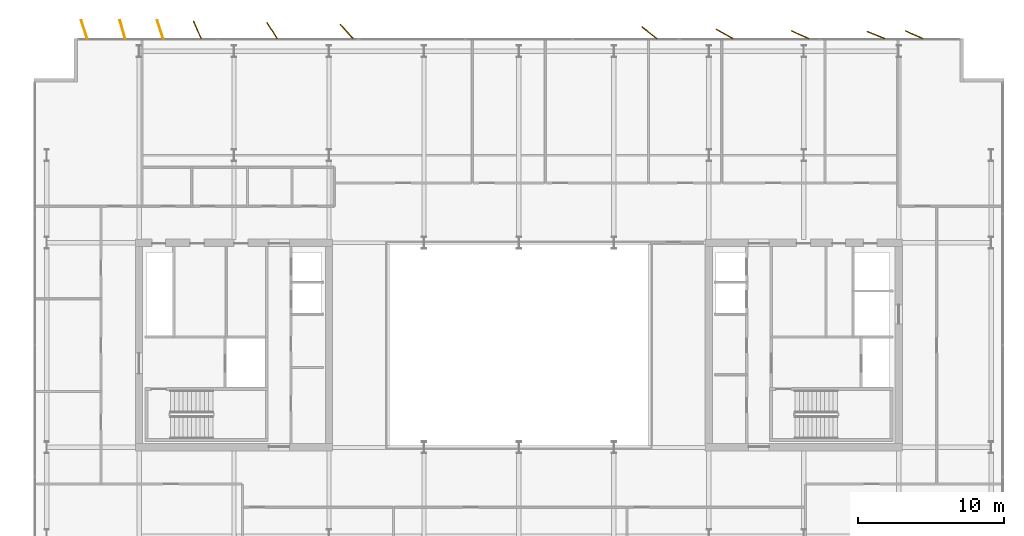
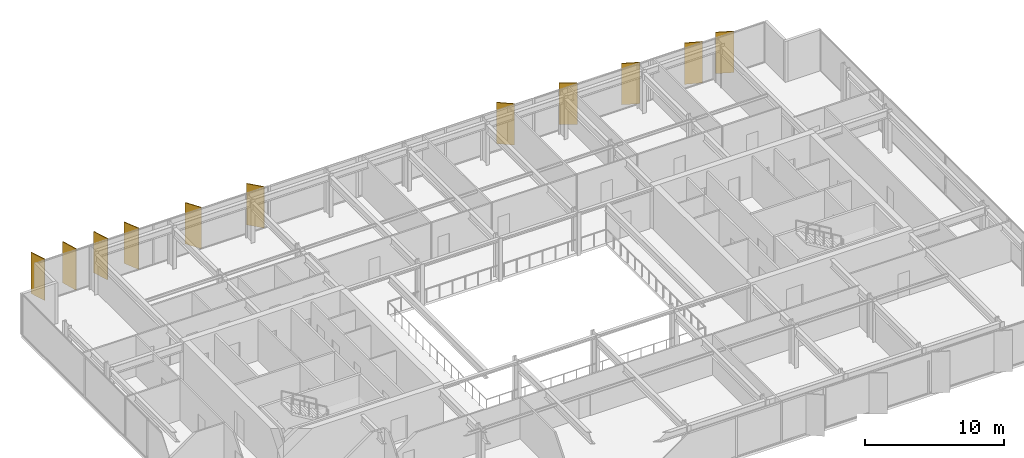
# One storey, part 23 of 23: 11 shading devices.
"""IFC4 building model written with IfcOpenShell, lengths in metres."""

from ifc_helpers import new_model, si_unit, direction, frame, origin, origin_2d, place, context, subcontext, project, spatial, rectangle, extrude, material, layer, layer_set, type_object, element, save


model = new_model("IFC4")

# Units and contexts
model_context = context("Model", 3, precision=1e-05, world=origin(), true_north=direction((0.0, 1.0)))
body_context = subcontext(model_context, "Body", "Model", "MODEL_VIEW")
ifc_project = project(units=[si_unit("LENGTHUNIT", "METRE"), si_unit("AREAUNIT", "SQUARE_METRE"), si_unit("VOLUMEUNIT", "CUBIC_METRE"), si_unit("PLANEANGLEUNIT", "RADIAN"), si_unit("MASSUNIT", "GRAM", prefix="KILO")], contexts=[model_context])

# Site, building, storey
site_placement = place(None, origin())
site = spatial("IfcSite", under=ifc_project, at=site_placement, CompositionType="ELEMENT")
building_placement = place(site_placement, origin())
building = spatial("IfcBuilding", under=site, at=building_placement, Name="Putna Gate Headquarters", CompositionType="ELEMENT")
storey_placement = place(building_placement, frame((0.0, 0.0, 229.0)))
storey = spatial("IfcBuildingStorey", under=building, at=storey_placement, Name="L57", CompositionType="ELEMENT", Elevation=229.0)

# Shading devices
ifc_material = material(Name="Anodised architectural bronze aluminium fin", Category="aluminium")
ifc_layer = layer(ifc_material, 0.06494140625)
ifc_layer_set = layer_set([ifc_layer], Name="Anodised architectural bronze aluminium fin")
shading_device_type = type_object("IfcShadingDeviceType", Name="SHADE-BRONZE-FIN-1320", PredefinedType="USERDEFINED", material=ifc_layer_set)
for number, where, z_axis, x_axis, name in (
    (1, (9.246337890625, 47.602783203125, -0.02001953125), (0.0, 0.0, 1.0), (-0.308684994204, 0.951164325631, 0.0), "L57 Bronze Vertical Shading Fin N1"),
    (2, (11.8681640625, 47.609375, -0.02001953125), (0.0, 0.0, 1.0), (-0.275637355817, 0.961261695938, 0.0), "L57 Bronze Vertical Shading Fin N2"),
    (3, (14.4462890625, 47.602783203125, -0.02001953125), (0.0, 0.0, 1.0), (-0.308684994204, 0.951164325631, 0.0), "L57 Bronze Vertical Shading Fin N3"),
    (4, (16.985595703125, 47.57958984375, -0.02001953125), (0.0, 0.0, 1.0), (-0.400668879095, 0.916222925562, 0.0), "L57 Bronze Vertical Shading Fin N4"),
    (5, (22.099853515625, 47.534423828125, -0.02001953125), (0.0, 0.0, 1.0), (-0.530659123936, 0.847585331506, 0.0), "L57 Bronze Vertical Shading Fin N5"),
    (6, (27.20849609375, 47.465576171875, -0.02001953125), (0.0, 0.0, 1.0), (-0.669130606359, 0.743144825477, 0.0), "L57 Bronze Vertical Shading Fin N6"),
    (7, (47.930419921875, 47.3818359375, -0.02001953125), (0.0, 0.0, 1.0), (-0.787473187632, 0.616348909921, 0.0), "L57 Bronze Vertical Shading Fin N7"),
    (8, (53.076171875, 47.30126953125, -0.02001953125), (0.0, 0.0, 1.0), (-0.869322458298, 0.494245347472, 0.0), "L57 Bronze Vertical Shading Fin N8"),
    (9, (58.2470703125, 47.2431640625, -0.02001953125), (0.0, 0.0, 1.0), (-0.913687379856, 0.40641773078, 0.0), "L57 Bronze Vertical Shading Fin N9"),
    (10, (63.43798828125, 47.22216796875, -0.02001953125), (0.0, 0.0, 1.0), (-0.927183854567, 0.374606593416, 0.0), "L57 Bronze Vertical Shading Fin N10"),
    (11, (66.047119140625, 47.2431640625, -0.02001953125), (0.0, 0.0, 1.0), (-0.913687379856, 0.40641773078, 0.0), "L57 Bronze Vertical Shading Fin N11"),
):
    element("IfcShadingDevice", number, at=place(storey_placement, frame(where, z_axis=z_axis, x_axis=x_axis)), inside=storey, type_object=shading_device_type, Name=name, ObjectType="FIN", PredefinedType="USERDEFINED", context=body_context, shape_type="SweptSolid", body=[
        extrude(rectangle(XDim=1.320068359375, YDim=0.06494140625, at=origin_2d()), origin(), (0.0, 0.0, 1.0), 3.6201171875),
    ])

save(model, "model.ifc")
